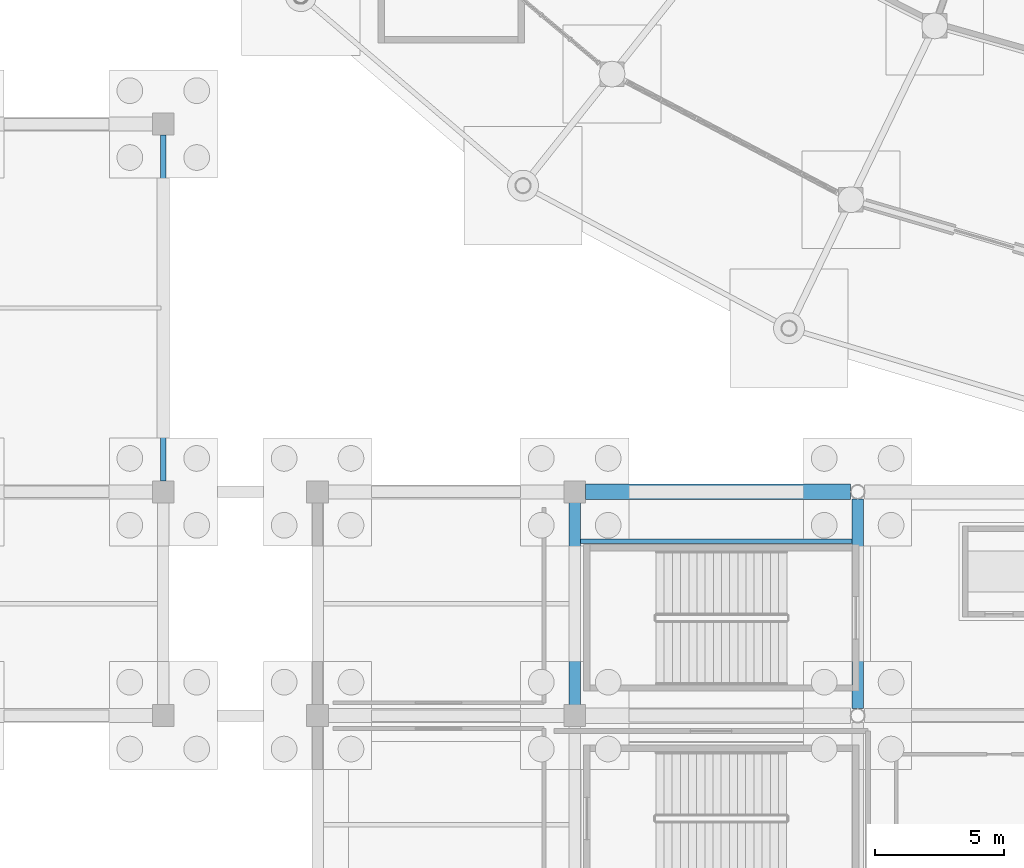
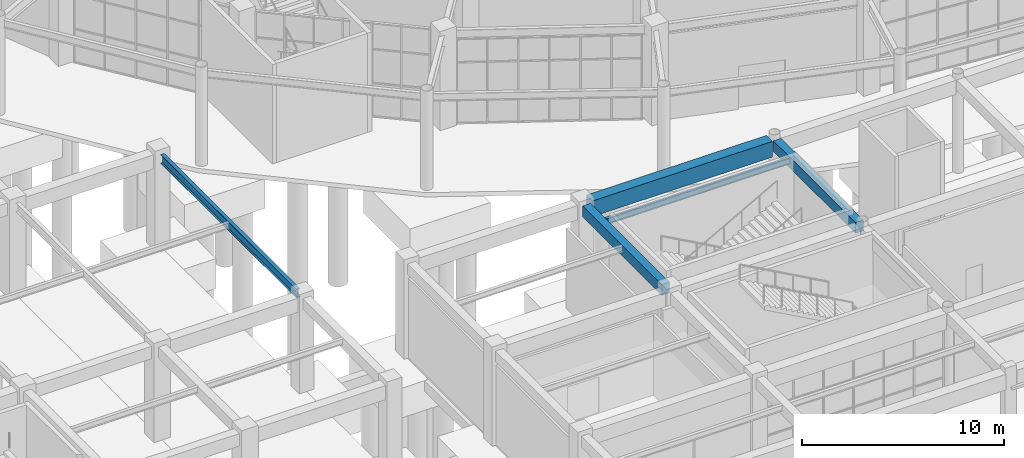
# One storey, part 25 of 121: 5 beams.
"""IFC4 building model written with IfcOpenShell, lengths in metres."""

from ifc_helpers import new_model, si_unit, direction, frame, origin, origin_2d, place, context, subcontext, project, spatial, rectangle, i_section, extrude, material, material_profile, profile_set, type_object, element, save


model = new_model("IFC4")

# Units and contexts
model_context = context("Model", 3, precision=1e-05, world=origin(), true_north=direction((0.0, 1.0)))
body_context = subcontext(model_context, "Body", "Model", "MODEL_VIEW")
ifc_project = project(units=[si_unit("LENGTHUNIT", "METRE"), si_unit("AREAUNIT", "SQUARE_METRE"), si_unit("VOLUMEUNIT", "CUBIC_METRE"), si_unit("PLANEANGLEUNIT", "RADIAN"), si_unit("MASSUNIT", "GRAM", prefix="KILO")], contexts=[model_context])

# Site, building, storey
site_placement = place(None, origin())
site = spatial("IfcSite", under=ifc_project, at=site_placement, CompositionType="ELEMENT")
building_placement = place(site_placement, origin())
building = spatial("IfcBuilding", under=site, at=building_placement, Name="Cuetzalor Civic Arena", CompositionType="ELEMENT")
storey_placement = place(building_placement, origin())
storey = spatial("IfcBuildingStorey", under=building, at=storey_placement, Name="L00", CompositionType="ELEMENT", Elevation=0.0)

# Beams
ifc_material_1 = material(Name="Concrete C40/50", Category="concrete")
ifc_material_profile_1 = material_profile(ifc_material_1, rectangle(XDim=0.60009765625, YDim=0.949951171875, at=origin_2d()), Name="RC 600x950")
ifc_profile_set_1 = profile_set([ifc_material_profile_1], Name="Concrete C40/50")
beam_type_1 = type_object("IfcBeamType", Name="ConcreteFrameBeam_600x950", PredefinedType="BEAM", material=ifc_profile_set_1)
beam_1_placement = place(storey_placement, frame((-31.5849609375, -48.300048828125, 5.22509765625), z_axis=(1.0, 0.0, 0.0), x_axis=(0.0, 1.0, 0.0)))
element("IfcBeam", 1, at=beam_1_placement, inside=storey, type_object=beam_type_1, Name="Frame Girder V3-L00-X0024", PredefinedType="BEAM", context=body_context, shape_type="SweptSolid", body=[
    extrude(rectangle(XDim=0.60009765625, YDim=0.949951171875, at=origin_2d()), origin(), (0.0, 0.0, 1.0), 10.3154296875),
])
ifc_material_2 = material(Name="Concrete C40/50", Category="concrete")
ifc_material_profile_2 = material_profile(ifc_material_2, rectangle(XDim=0.449951171875, YDim=0.64990234375, at=origin_2d()), Name="RC 450x650")
ifc_profile_set_2 = profile_set([ifc_material_profile_2], Name="Concrete C40/50")
beam_type_2 = type_object("IfcBeamType", Name="ConcreteTieBeam_450x650", PredefinedType="BEAM", material=ifc_profile_set_2)
beam_2_placement = place(storey_placement, frame((-32.0, -56.5849609375, 5.375), z_axis=(0.0, 1.0, 0.0), x_axis=(-1.0, 0.0, 0.0)))
element("IfcBeam", 2, at=beam_2_placement, inside=storey, type_object=beam_type_2, Name="Frame Girder V3-L00-Y0036", PredefinedType="BEAM", context=body_context, shape_type="SweptSolid", body=[
    extrude(rectangle(XDim=0.449951171875, YDim=0.64990234375, at=origin_2d()), origin(), (0.0, 0.0, 1.0), 7.869873046875),
])
beam_3_placement = place(storey_placement, frame((-21.0, -56.73046875, 5.375), z_axis=(0.0, 1.0, 0.0), x_axis=(-1.0, 0.0, 0.0)))
element("IfcBeam", 3, at=beam_3_placement, inside=storey, type_object=beam_type_2, Name="Frame Girder V3-L00-Y0039", PredefinedType="BEAM", context=body_context, shape_type="SweptSolid", body=[
    extrude(rectangle(XDim=0.449951171875, YDim=0.64990234375, at=origin_2d()), origin(), (0.0, 0.0, 1.0), 8.160888671875),
])
ifc_material_3 = material(Name="Steel S355", Category="steel")
ifc_material_profile_3 = material_profile(ifc_material_3, i_section(OverallWidth=0.1708984375, OverallDepth=0.35498046875, WebThickness=0.007080078125, FlangeThickness=0.01171875, at=origin_2d()), Name="W360x51")
ifc_profile_set_3 = profile_set([ifc_material_profile_3], Name="Steel S355")
beam_type_3 = type_object("IfcBeamType", Name="SecondaryFloorJoist_W360", PredefinedType="JOIST", material=ifc_profile_set_3)
beam_4_placement = place(storey_placement, frame((-31.782958984375, -50.214111328125, 5.5224609375), z_axis=(1.0, 0.0, 0.0), x_axis=(0.0, 1.0, 0.0)))
element("IfcBeam", 4, at=beam_4_placement, inside=storey, type_object=beam_type_3, Name="Secondary Floor Joist V3-L00-0005", PredefinedType="JOIST", context=body_context, shape_type="SweptSolid", body=[
    extrude(i_section(OverallWidth=0.1708984375, OverallDepth=0.35498046875, WebThickness=0.007080078125, FlangeThickness=0.01171875, at=origin_2d()), origin(), (0.0, 0.0, 1.0), 10.56591796875),
])
ifc_material_4 = material(Name="Steel S355", Category="steel")
ifc_material_profile_4 = material_profile(ifc_material_4, i_section(OverallWidth=0.208984375, OverallDepth=0.532958984375, WebThickness=0.01025390625, FlangeThickness=0.015625, at=origin_2d()), Name="W530x92")
ifc_profile_set_4 = profile_set([ifc_material_profile_4], Name="Steel S355")
beam_type_4 = type_object("IfcBeamType", Name="SteelCollarGirder_W530", PredefinedType="BEAM", material=ifc_profile_set_4)
beam_5_placement = place(storey_placement, frame((-48.0, -47.885009765625, 5.43359375), z_axis=(0.0, 1.0, 0.0), x_axis=(-1.0, 0.0, 0.0)))
element("IfcBeam", 5, at=beam_5_placement, inside=storey, type_object=beam_type_4, Name="Frame Girder V4W-L00-Y0134", PredefinedType="BEAM", context=body_context, shape_type="SweptSolid", body=[
    extrude(i_section(OverallWidth=0.208984375, OverallDepth=0.532958984375, WebThickness=0.01025390625, FlangeThickness=0.015625, at=origin_2d()), origin(), (0.0, 0.0, 1.0), 13.469970703125),
])

save(model, "model.ifc")
